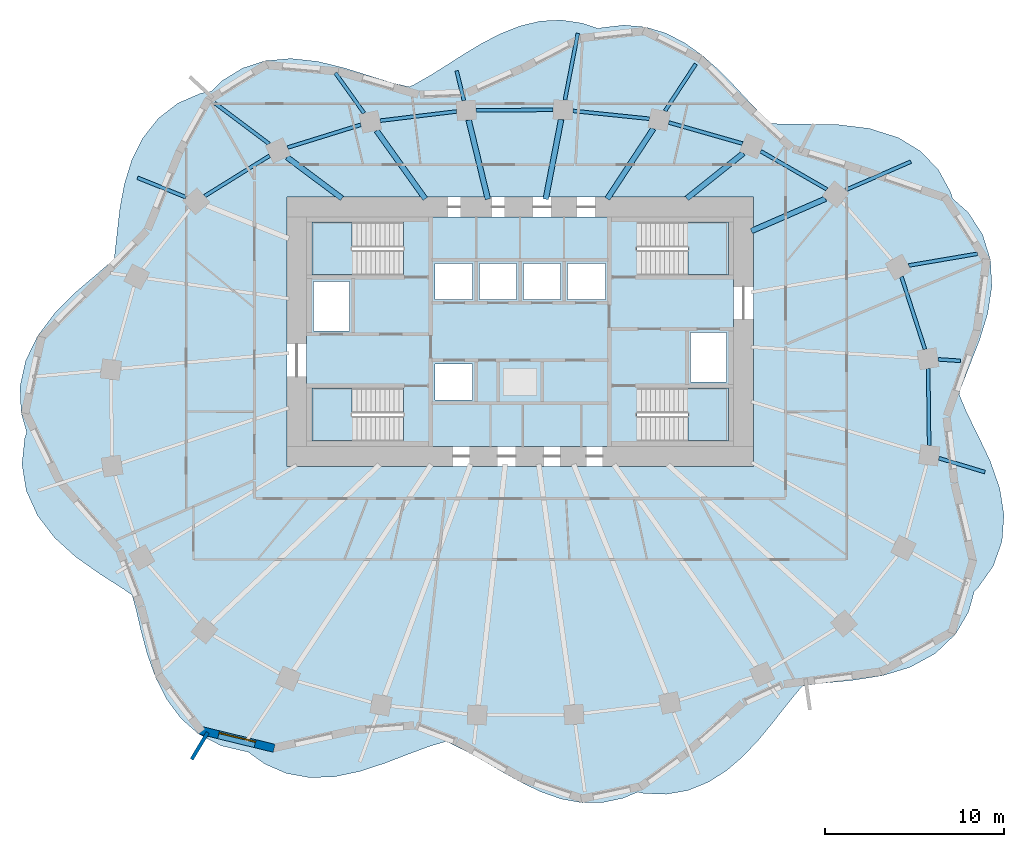
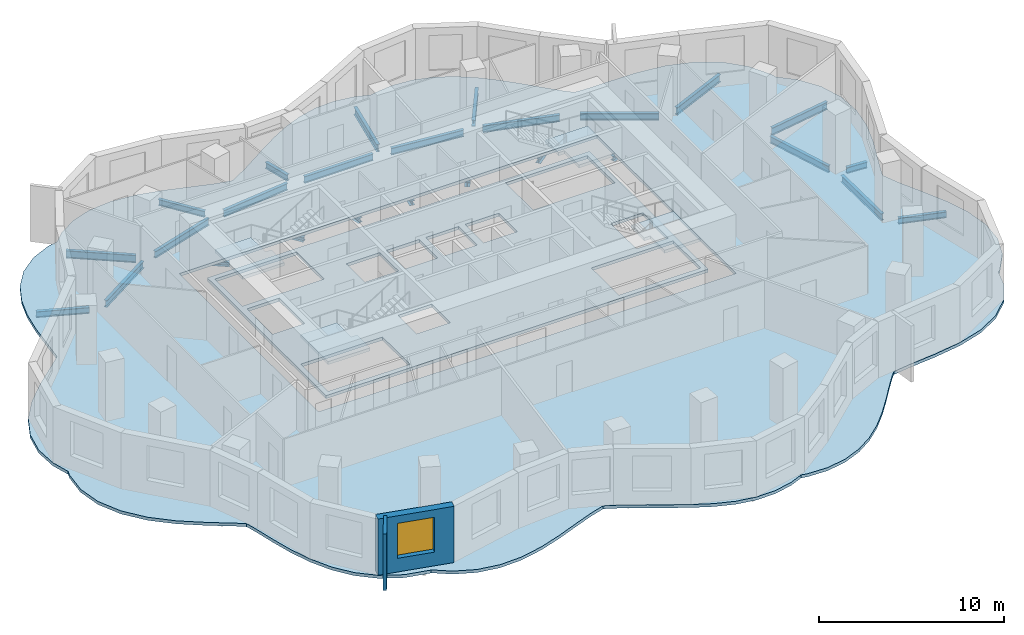
# One storey, part 2 of 10: 26 beams, 6 slabs, 2 walls, 1 window, 1 opening, 4 elements without a shape of their own.
"""IFC4 building model written with IfcOpenShell, lengths in metres."""

from ifc_helpers import new_model, si_unit, direction, frame, frame_2d, origin, origin_2d, place, context, subcontext, project, spatial, polyline, rectangle, i_section, outline, extrude, material, layer, layer_set, material_profile, profile_set, type_object, element, fill, aggregate, save


model = new_model("IFC4")

# Units and contexts
model_context = context("Model", 3, precision=1e-05, world=origin(), true_north=direction((0.0, 1.0)))
body_context = subcontext(model_context, "Body", "Model", "MODEL_VIEW")
ifc_project = project(units=[si_unit("LENGTHUNIT", "METRE"), si_unit("AREAUNIT", "SQUARE_METRE"), si_unit("VOLUMEUNIT", "CUBIC_METRE"), si_unit("PLANEANGLEUNIT", "RADIAN"), si_unit("MASSUNIT", "GRAM", prefix="KILO")], contexts=[model_context])

# Site, building, storey
site_placement = place(None, origin())
site = spatial("IfcSite", under=ifc_project, at=site_placement, CompositionType="ELEMENT")
building_placement = place(site_placement, origin())
building = spatial("IfcBuilding", under=site, at=building_placement, Name="Rubra Terraces Tower", CompositionType="ELEMENT")
storey_placement = place(building_placement, frame((0.0, 0.0, 134.39990234375)))
storey = spatial("IfcBuildingStorey", under=building, at=storey_placement, Name="L32", CompositionType="ELEMENT", Elevation=134.39990234375)

# Beams
ifc_material_1 = material(Name="Steel Q355B", Category="steel")
ifc_material_profile_1 = material_profile(ifc_material_1, i_section(OverallWidth=0.199951171875, OverallDepth=0.39990234375, WebThickness=0.008056640625, FlangeThickness=0.012939453125, at=origin_2d()), Name="HN 400x200x8x13")
ifc_profile_set_1 = profile_set([ifc_material_profile_1], Name="Steel Q355B")
beam_type_1 = type_object("IfcBeamType", Name="CANTILEVER BEAM HN 400x200x8x13", PredefinedType="BEAM", material=ifc_profile_set_1)
beam_1_placement = place(storey_placement, frame((8.076904296875, 16.803955078125, -0.39990234375), z_axis=(0.548937876401, 0.83586315139, 0.0), x_axis=(-0.83586315139, 0.548937876401, 0.0)))
element("IfcBeam", 1, at=beam_1_placement, inside=storey, type_object=beam_type_1, Name="beam-L32-cant-05", PredefinedType="BEAM", context=body_context, shape_type="SweptSolid", body=[
    extrude(i_section(OverallWidth=0.199951171875, OverallDepth=0.39990234375, WebThickness=0.008056640625, FlangeThickness=0.012939453125, at=origin_2d()), origin(), (0.0, 0.0, 1.0), 3.126220703125),
])
beam_2_placement = place(storey_placement, frame((-3.131103515625, 17.37890625, -0.39990234375), z_axis=(-0.23623101805, 0.971696920913, 0.0), x_axis=(-0.971696920913, -0.23623101805, 0.0)))
element("IfcBeam", 2, at=beam_2_placement, inside=storey, type_object=beam_type_1, Name="beam-L32-cant-07", PredefinedType="BEAM", context=body_context, shape_type="SweptSolid", body=[
    extrude(i_section(OverallWidth=0.199951171875, OverallDepth=0.39990234375, WebThickness=0.008056640625, FlangeThickness=0.012939453125, at=origin_2d()), origin(), (0.0, 0.0, 1.0), 1.705322265625),
])
beam_3_placement = place(storey_placement, frame((-8.695068359375, 16.679931640625, -0.39990234375), z_axis=(-0.581002903786, 0.813901484083, 0.0), x_axis=(-0.813901484083, -0.581002903786, 0.0)))
element("IfcBeam", 3, at=beam_3_placement, inside=storey, type_object=beam_type_1, Name="beam-L32-cant-08", PredefinedType="BEAM", context=body_context, shape_type="SweptSolid", body=[
    extrude(i_section(OverallWidth=0.199951171875, OverallDepth=0.39990234375, WebThickness=0.008056640625, FlangeThickness=0.012939453125, at=origin_2d()), origin(), (0.0, 0.0, 1.0), 2.74853515625),
])
beam_4_placement = place(storey_placement, frame((-18.6201171875, 11.991943359375, -0.39990234375), z_axis=(-0.927791895957, 0.373098107468, 0.0), x_axis=(-0.373098107468, -0.927791895957, 0.0)))
element("IfcBeam", 4, at=beam_4_placement, inside=storey, type_object=beam_type_1, Name="beam-L32-cant-10", PredefinedType="BEAM", context=body_context, shape_type="SweptSolid", body=[
    extrude(i_section(OverallWidth=0.199951171875, OverallDepth=0.39990234375, WebThickness=0.008056640625, FlangeThickness=0.012939453125, at=origin_2d()), origin(), (0.0, 0.0, 1.0), 2.907958984375),
])
beam_5_placement = place(storey_placement, frame((23.3359375, -2.550048828125, -0.39990234375), z_axis=(0.957237259316, -0.289304043141, 0.0), x_axis=(0.289304043141, 0.957237259316, 0.0)))
element("IfcBeam", 5, at=beam_5_placement, inside=storey, type_object=beam_type_1, Name="beam-L32-cant-24", PredefinedType="BEAM", context=body_context, shape_type="SweptSolid", body=[
    extrude(i_section(OverallWidth=0.199951171875, OverallDepth=0.39990234375, WebThickness=0.008056640625, FlangeThickness=0.012939453125, at=origin_2d()), origin(), (0.0, 0.0, 1.0), 2.678466796875),
])
ifc_material_profile_2 = material_profile(ifc_material_1, i_section(OverallWidth=0.198974609375, OverallDepth=0.49609375, WebThickness=0.009033203125, FlangeThickness=0.013916015625, at=origin_2d()), Name="HN 496x199x9x14")
ifc_profile_set_2 = profile_set([ifc_material_profile_2], Name="Steel Q355B")
beam_type_2 = type_object("IfcBeamType", Name="CANTILEVER BEAM HN 496x199x9x14", PredefinedType="BEAM", material=ifc_profile_set_2)
beam_6_placement = place(storey_placement, frame((21.656982421875, 8.18798828125, -0.447998046875), z_axis=(0.985806786827, 0.16788382604, 0.0), x_axis=(-0.16788382604, 0.985806786827, 0.0)))
element("IfcBeam", 6, at=beam_6_placement, inside=storey, type_object=beam_type_2, Name="beam-L32-cant-02", PredefinedType="BEAM", context=body_context, shape_type="SweptSolid", body=[
    extrude(i_section(OverallWidth=0.198974609375, OverallDepth=0.49609375, WebThickness=0.009033203125, FlangeThickness=0.013916015625, at=origin_2d()), origin(), (0.0, 0.0, 1.0), 3.88427734375),
])
beam_7_placement = place(storey_placement, frame((18.14990234375, 12.39697265625, -0.447998046875), z_axis=(0.916966850316, 0.398963401105, 0.0), x_axis=(-0.398963401105, 0.916966850316, 0.0)))
element("IfcBeam", 7, at=beam_7_placement, inside=storey, type_object=beam_type_2, Name="beam-L32-cant-03", PredefinedType="BEAM", context=body_context, shape_type="SweptSolid", body=[
    extrude(i_section(OverallWidth=0.198974609375, OverallDepth=0.49609375, WebThickness=0.009033203125, FlangeThickness=0.013916015625, at=origin_2d()), origin(), (0.0, 0.0, 1.0), 3.949951171875),
])
beam_8_placement = place(storey_placement, frame((2.498046875, 17.406982421875, -0.447998046875), z_axis=(0.189863542484, 0.981810488452, 0.0), x_axis=(-0.981810488452, 0.189863542484, 0.0)))
element("IfcBeam", 8, at=beam_8_placement, inside=storey, type_object=beam_type_2, Name="beam-L32-cant-06", PredefinedType="BEAM", context=body_context, shape_type="SweptSolid", body=[
    extrude(i_section(OverallWidth=0.198974609375, OverallDepth=0.49609375, WebThickness=0.009033203125, FlangeThickness=0.013916015625, at=origin_2d()), origin(), (0.0, 0.0, 1.0), 3.786865234375),
])
beam_9_placement = place(storey_placement, frame((-13.989013671875, 14.971923828125, -0.447998046875), z_axis=(-0.800563432958, 0.599248020281, 0.0), x_axis=(-0.599248020281, -0.800563432958, 0.0)))
element("IfcBeam", 9, at=beam_9_placement, inside=storey, type_object=beam_type_2, Name="beam-L32-cant-09", PredefinedType="BEAM", context=body_context, shape_type="SweptSolid", body=[
    extrude(i_section(OverallWidth=0.198974609375, OverallDepth=0.49609375, WebThickness=0.009033203125, FlangeThickness=0.013916015625, at=origin_2d()), origin(), (0.0, 0.0, 1.0), 3.79345703125),
])
ifc_material_profile_3 = material_profile(ifc_material_1, i_section(OverallWidth=0.199951171875, OverallDepth=0.39990234375, WebThickness=0.008056640625, FlangeThickness=0.012939453125, at=origin_2d()), Name="HN 400x200x8x13")
ifc_profile_set_3 = profile_set([ifc_material_profile_3], Name="Steel Q355B")
beam_type_3 = type_object("IfcBeamType", Name="CANTILEVER STUB HN 400x200x8x13", PredefinedType="BEAM", material=ifc_profile_set_3)
beam_10_placement = place(storey_placement, frame((23.298095703125, 2.9560546875, -0.39990234375), z_axis=(0.99781120572, -0.06612713316, 0.0), x_axis=(0.06612713316, 0.99781120572, 0.0)))
element("IfcBeam", 10, at=beam_10_placement, inside=storey, type_object=beam_type_3, Name="beam-L32-cant-01", PredefinedType="BEAM", context=body_context, shape_type="SweptSolid", body=[
    extrude(i_section(OverallWidth=0.199951171875, OverallDepth=0.39990234375, WebThickness=0.008056640625, FlangeThickness=0.012939453125, at=origin_2d()), origin(), (0.0, 0.0, 1.0), 1.240478515625),
])
ifc_material_profile_4 = material_profile(ifc_material_1, i_section(OverallWidth=0.304931640625, OverallDepth=0.300048828125, WebThickness=0.014892578125, FlangeThickness=0.014892578125, at=origin_2d()), Name="HW 300x305x15x15")
ifc_profile_set_4 = profile_set([ifc_material_profile_4], Name="Steel Q355B")
beam_type_4 = type_object("IfcBeamType", Name="FLOOR BEAM HW 300x305x15x15", PredefinedType="BEAM", material=ifc_profile_set_4)
beam_11_placement = place(storey_placement, frame((17.01806640625, 11.905029296875, -0.349853515625), z_axis=(-0.916965704309, -0.398966035047, 0.0), x_axis=(0.398966035047, -0.916965704309, 0.0)))
element("IfcBeam", 11, at=beam_11_placement, inside=storey, type_object=beam_type_4, Name="beam-L32-floor-03", PredefinedType="BEAM", context=body_context, shape_type="SweptSolid", body=[
    extrude(i_section(OverallWidth=0.304931640625, OverallDepth=0.300048828125, WebThickness=0.014892578125, FlangeThickness=0.014892578125, at=origin_2d()), origin(), (0.0, 0.0, 1.0), 4.501953125),
])
beam_12_placement = place(storey_placement, frame((12.43798828125, 14.44091796875, -0.349853515625), z_axis=(-0.781170160898, -0.624318171867, 0.0), x_axis=(0.624318171867, -0.781170160898, 0.0)))
element("IfcBeam", 12, at=beam_12_placement, inside=storey, type_object=beam_type_4, Name="beam-L32-floor-04", PredefinedType="BEAM", context=body_context, shape_type="SweptSolid", body=[
    extrude(i_section(OverallWidth=0.304931640625, OverallDepth=0.300048828125, WebThickness=0.014892578125, FlangeThickness=0.014892578125, at=origin_2d()), origin(), (0.0, 0.0, 1.0), 4.02978515625),
])
beam_13_placement = place(storey_placement, frame((7.425048828125, 15.81005859375, -0.349853515625), z_axis=(-0.548820601732, -0.835940157616, 0.0), x_axis=(0.835940157616, -0.548820601732, 0.0)))
element("IfcBeam", 13, at=beam_13_placement, inside=storey, type_object=beam_type_4, Name="beam-L32-floor-05", PredefinedType="BEAM", context=body_context, shape_type="SweptSolid", body=[
    extrude(i_section(OverallWidth=0.304931640625, OverallDepth=0.300048828125, WebThickness=0.014892578125, FlangeThickness=0.014892578125, at=origin_2d()), origin(), (0.0, 0.0, 1.0), 4.677490234375),
])
beam_14_placement = place(storey_placement, frame((2.285888671875, 16.31689453125, -0.349853515625), z_axis=(-0.189927794489, -0.981798061151, 0.0), x_axis=(0.981798061151, -0.189927794489, 0.0)))
element("IfcBeam", 14, at=beam_14_placement, inside=storey, type_object=beam_type_4, Name="beam-L32-floor-06", PredefinedType="BEAM", context=body_context, shape_type="SweptSolid", body=[
    extrude(i_section(OverallWidth=0.304931640625, OverallDepth=0.300048828125, WebThickness=0.014892578125, FlangeThickness=0.014892578125, at=origin_2d()), origin(), (0.0, 0.0, 1.0), 4.51708984375),
])
beam_15_placement = place(storey_placement, frame((-2.866943359375, 16.29296875, -0.349853515625), z_axis=(0.236214306521, -0.971700983531, 0.0), x_axis=(0.971700983531, 0.236214306521, 0.0)))
element("IfcBeam", 15, at=beam_15_placement, inside=storey, type_object=beam_type_4, Name="beam-L32-floor-07", PredefinedType="BEAM", context=body_context, shape_type="SweptSolid", body=[
    extrude(i_section(OverallWidth=0.304931640625, OverallDepth=0.300048828125, WebThickness=0.014892578125, FlangeThickness=0.014892578125, at=origin_2d()), origin(), (0.0, 0.0, 1.0), 4.538330078125),
])
beam_16_placement = place(storey_placement, frame((-7.9990234375, 15.7041015625, -0.349853515625), z_axis=(0.581010755177, -0.813895879317, 0.0), x_axis=(0.813895879317, 0.581010755177, 0.0)))
element("IfcBeam", 16, at=beam_16_placement, inside=storey, type_object=beam_type_4, Name="beam-L32-floor-08", PredefinedType="BEAM", context=body_context, shape_type="SweptSolid", body=[
    extrude(i_section(OverallWidth=0.304931640625, OverallDepth=0.300048828125, WebThickness=0.014892578125, FlangeThickness=0.014892578125, at=origin_2d()), origin(), (0.0, 0.0, 1.0), 4.67138671875),
])
beam_17_placement = place(storey_placement, frame((-12.985107421875, 14.219970703125, -0.349853515625), z_axis=(0.800566460925, -0.599243975057, 0.0), x_axis=(0.599243975057, 0.800566460925, 0.0)))
element("IfcBeam", 17, at=beam_17_placement, inside=storey, type_object=beam_type_4, Name="beam-L32-floor-09", PredefinedType="BEAM", context=body_context, shape_type="SweptSolid", body=[
    extrude(i_section(OverallWidth=0.304931640625, OverallDepth=0.300048828125, WebThickness=0.014892578125, FlangeThickness=0.014892578125, at=origin_2d()), origin(), (0.0, 0.0, 1.0), 3.82470703125),
])
ifc_material_profile_5 = material_profile(ifc_material_1, i_section(OverallWidth=0.198974609375, OverallDepth=0.446044921875, WebThickness=0.008056640625, FlangeThickness=0.011962890625, at=origin_2d()), Name="HN 446x199x8x12")
ifc_profile_set_5 = profile_set([ifc_material_profile_5], Name="Steel Q355B")
beam_type_5 = type_object("IfcBeamType", Name="SPANDREL BEAM HN 446x199x8x12", PredefinedType="SPANDREL", material=ifc_profile_set_5)
beam_18_placement = place(storey_placement, frame((22.56201171875, 3.52197265625, -0.4228515625), z_axis=(-0.308462461648, 0.951236516201, 0.0), x_axis=(-0.951236516201, -0.308462461648, 0.0)))
element("IfcBeam", 18, at=beam_18_placement, inside=storey, type_object=beam_type_5, Name="beam-L32-spandrel-01", PredefinedType="SPANDREL", context=body_context, shape_type="SweptSolid", body=[
    extrude(i_section(OverallWidth=0.198974609375, OverallDepth=0.446044921875, WebThickness=0.008056640625, FlangeThickness=0.011962890625, at=origin_2d()), origin(), (0.0, 0.0, 1.0), 4.24072265625),
])
beam_19_placement = place(storey_placement, frame((17.10009765625, 12.428955078125, -0.4228515625), z_axis=(-0.866560147027, 0.49907265161, 0.0), x_axis=(-0.49907265161, -0.866560147027, 0.0)))
element("IfcBeam", 19, at=beam_19_placement, inside=storey, type_object=beam_type_5, Name="beam-L32-spandrel-03", PredefinedType="SPANDREL", context=body_context, shape_type="SweptSolid", body=[
    extrude(i_section(OverallWidth=0.198974609375, OverallDepth=0.446044921875, WebThickness=0.008056640625, FlangeThickness=0.011962890625, at=origin_2d()), origin(), (0.0, 0.0, 1.0), 4.26171875),
])
beam_20_placement = place(storey_placement, frame((12.39404296875, 14.98388671875, -0.4228515625), z_axis=(-0.961693978406, 0.274125321518, 0.0), x_axis=(-0.274125321518, -0.961693978406, 0.0)))
element("IfcBeam", 20, at=beam_20_placement, inside=storey, type_object=beam_type_5, Name="beam-L32-spandrel-04", PredefinedType="SPANDREL", context=body_context, shape_type="SweptSolid", body=[
    extrude(i_section(OverallWidth=0.198974609375, OverallDepth=0.446044921875, WebThickness=0.008056640625, FlangeThickness=0.011962890625, at=origin_2d()), origin(), (0.0, 0.0, 1.0), 4.27587890625),
])
beam_21_placement = place(storey_placement, frame((7.201904296875, 16.364013671875, -0.4228515625), z_axis=(-0.994691190497, 0.102904983103, 0.0), x_axis=(-0.102904983103, -0.994691190497, 0.0)))
element("IfcBeam", 21, at=beam_21_placement, inside=storey, type_object=beam_type_5, Name="beam-L32-spandrel-05", PredefinedType="SPANDREL", context=body_context, shape_type="SweptSolid", body=[
    extrude(i_section(OverallWidth=0.198974609375, OverallDepth=0.446044921875, WebThickness=0.008056640625, FlangeThickness=0.011962890625, at=origin_2d()), origin(), (0.0, 0.0, 1.0), 4.28466796875),
])
beam_22_placement = place(storey_placement, frame((1.841064453125, 16.85888671875, -0.4228515625), z_axis=(-0.999989371096, -0.004610606731, 0.0), x_axis=(0.004610606731, -0.999989371096, 0.0)))
element("IfcBeam", 22, at=beam_22_placement, inside=storey, type_object=beam_type_5, Name="beam-L32-spandrel-06", PredefinedType="SPANDREL", context=body_context, shape_type="SweptSolid", body=[
    extrude(i_section(OverallWidth=0.198974609375, OverallDepth=0.446044921875, WebThickness=0.008056640625, FlangeThickness=0.011962890625, at=origin_2d()), origin(), (0.0, 0.0, 1.0), 4.2890625),
])
beam_23_placement = place(storey_placement, frame((-3.5458984375, 16.77001953125, -0.4228515625), z_axis=(-0.992833084949, -0.119509269223, 0.0), x_axis=(0.119509269223, -0.992833084949, 0.0)))
element("IfcBeam", 23, at=beam_23_placement, inside=storey, type_object=beam_type_5, Name="beam-L32-spandrel-07", PredefinedType="SPANDREL", context=body_context, shape_type="SweptSolid", body=[
    extrude(i_section(OverallWidth=0.198974609375, OverallDepth=0.446044921875, WebThickness=0.008056640625, FlangeThickness=0.011962890625, at=origin_2d()), origin(), (0.0, 0.0, 1.0), 4.283935546875),
])
beam_24_placement = place(storey_placement, frame((-8.8740234375, 16.028076171875, -0.4228515625), z_axis=(-0.955002801089, -0.296596780008, 0.0), x_axis=(0.296596780008, -0.955002801089, 0.0)))
element("IfcBeam", 24, at=beam_24_placement, inside=storey, type_object=beam_type_5, Name="beam-L32-spandrel-08", PredefinedType="SPANDREL", context=body_context, shape_type="SweptSolid", body=[
    extrude(i_section(OverallWidth=0.198974609375, OverallDepth=0.446044921875, WebThickness=0.008056640625, FlangeThickness=0.011962890625, at=origin_2d()), origin(), (0.0, 0.0, 1.0), 4.275390625),
])
beam_25_placement = place(storey_placement, frame((-13.9580078125, 14.303955078125, -0.4228515625), z_axis=(-0.849549830498, -0.527508374816, 0.0), x_axis=(0.527508374816, -0.849549830498, 0.0)))
element("IfcBeam", 25, at=beam_25_placement, inside=storey, type_object=beam_type_5, Name="beam-L32-spandrel-09", PredefinedType="SPANDREL", context=body_context, shape_type="SweptSolid", body=[
    extrude(i_section(OverallWidth=0.198974609375, OverallDepth=0.446044921875, WebThickness=0.008056640625, FlangeThickness=0.011962890625, at=origin_2d()), origin(), (0.0, 0.0, 1.0), 4.259765625),
])
beam_26_placement = place(storey_placement, frame((22.794921875, -1.8330078125, -0.4228515625), z_axis=(-0.012634783266, 0.99992017794, 0.0), x_axis=(-0.99992017794, -0.012634783266, 0.0)))
element("IfcBeam", 26, at=beam_26_placement, inside=storey, type_object=beam_type_5, Name="beam-L32-spandrel-24", PredefinedType="SPANDREL", context=body_context, shape_type="SweptSolid", body=[
    extrude(i_section(OverallWidth=0.198974609375, OverallDepth=0.446044921875, WebThickness=0.008056640625, FlangeThickness=0.011962890625, at=origin_2d()), origin(), (0.0, 0.0, 1.0), 4.270263671875),
])

# Slab
ifc_material_2 = material(Name="Concrete C40", Category="concrete")
ifc_layer_1 = layer(ifc_material_2, 0.199951171875)
ifc_layer_set_1 = layer_set([ifc_layer_1], Name="Concrete C40")
slab_type_1 = type_object("IfcSlabType", Name="Core floor slab 200 concrete", PredefinedType="FLOOR", material=ifc_layer_set_1)
slab_1_placement = place(storey_placement, frame((0.0, 0.0, -0.199951171875)))
element("IfcSlab", 27, at=slab_1_placement, inside=storey, type_object=slab_type_1, Name="CORE FLOOR SLAB L32", PredefinedType="FLOOR", context=body_context, shape_type="SweptSolid", body=[
    extrude(outline(polyline([(-11.89990234375, -1.89990234375), (-11.89990234375, 10.89990234375), (11.89990234375, 10.89990234375), (11.89990234375, -1.89990234375), (-11.89990234375, -1.89990234375)]), holes=[polyline([(11.597900390625, -1.597900390625), (11.597900390625, 1.347900390625), (6.501953125, 1.347900390625), (6.501953125, -1.597900390625), (11.597900390625, -1.597900390625)]), polyline([(11.597900390625, 7.652099609375), (11.597900390625, 10.597900390625), (6.501953125, 10.597900390625), (6.501953125, 7.652099609375), (11.597900390625, 7.652099609375)]), polyline([(9.5, 1.699951171875), (11.5, 1.699951171875), (11.5, 4.449951171875), (9.5, 4.449951171875), (9.5, 1.699951171875)]), polyline([(4.75, 6.300048828125), (4.75, 8.300048828125), (2.64990234375, 8.300048828125), (2.64990234375, 6.300048828125), (4.75, 6.300048828125)]), polyline([(2.25, 8.300048828125), (0.199951171875, 8.300048828125), (0.199951171875, 6.300048828125), (2.25, 6.300048828125), (2.25, 8.300048828125)]), polyline([(-0.199951171875, 6.300048828125), (-0.199951171875, 8.300048828125), (-2.25, 8.300048828125), (-2.25, 6.300048828125), (-0.199951171875, 6.300048828125)]), polyline([(-2.64990234375, 2.699951171875), (-4.75, 2.699951171875), (-4.75, 0.699951171875), (-2.64990234375, 0.699951171875), (-2.64990234375, 2.699951171875)]), polyline([(-2.64990234375, 8.300048828125), (-4.75, 8.300048828125), (-4.75, 6.300048828125), (-2.64990234375, 6.300048828125), (-2.64990234375, 8.300048828125)]), polyline([(-11.597900390625, -1.597900390625), (-6.501953125, -1.597900390625), (-6.501953125, 1.347900390625), (-11.597900390625, 1.347900390625), (-11.597900390625, -1.597900390625)]), polyline([(-11.597900390625, 7.652099609375), (-6.501953125, 7.652099609375), (-6.501953125, 10.597900390625), (-11.597900390625, 10.597900390625), (-11.597900390625, 7.652099609375)]), polyline([(-9.5, 7.300048828125), (-11.5, 7.300048828125), (-11.5, 4.550048828125), (-9.5, 4.550048828125), (-9.5, 7.300048828125)])]), origin(), (0.0, 0.0, 1.0), 0.199951171875),
])

# Stair, slab
stair_type = type_object("IfcStairType", Name="Core stair 1400", PredefinedType="HALF_TURN_STAIR", material=ifc_material_2)
stair_1_placement = place(storey_placement, origin())
stair_1 = element("IfcStair", 28, at=stair_1_placement, inside=storey, type_object=stair_type, Name="L32 Exit stair S1", PredefinedType="HALF_TURN_STAIR")
ifc_layer_2 = layer(ifc_material_2, 0.199951171875)
ifc_layer_set_2 = layer_set([ifc_layer_2], Name="Concrete C40")
slab_type_2 = type_object("IfcSlabType", Name="Core stair landing 200", PredefinedType="LANDING", material=ifc_layer_set_2)
slab_2_placement = place(storey_placement, frame((0.0, 0.0, 1.75)))
slab_2 = element("IfcSlab", 29, at=slab_2_placement, type_object=slab_type_2, Name="S1 landing 1", PredefinedType="LANDING", context=body_context, shape_type="SweptSolid", body=[
    extrude(outline(polyline([(-8.97998046875, -0.199951171875), (-8.97998046875, -1.60009765625), (-9.360107421875, -1.60009765625), (-9.3798828125, -1.60009765625), (-11.60009765625, -1.60009765625), (-11.60009765625, 1.35009765625), (-9.3798828125, 1.35009765625), (-9.35791015625, 1.35009765625), (-9.35791015625, -0.050048828125), (-9.360107421875, -0.050048828125), (-9.360107421875, -0.199951171875), (-8.97998046875, -0.199951171875)])), origin(), (0.0, 0.0, 1.0), 0.2001953125),
])
aggregate(stair_1, [slab_2])

stair_2_placement = place(storey_placement, origin())
stair_2 = element("IfcStair", 30, at=stair_2_placement, inside=storey, type_object=stair_type, Name="L32 Exit stair S2", PredefinedType="HALF_TURN_STAIR")
slab_3_placement = place(storey_placement, frame((0.0, 0.0, 1.75)))
slab_3 = element("IfcSlab", 31, at=slab_3_placement, type_object=slab_type_2, Name="S2 landing 1", PredefinedType="LANDING", context=body_context, shape_type="SweptSolid", body=[
    extrude(outline(polyline([(-8.97998046875, 9.050048828125), (-8.97998046875, 7.64990234375), (-9.3798828125, 7.64990234375), (-11.60009765625, 7.64990234375), (-11.60009765625, 10.60009765625), (-9.3798828125, 10.60009765625), (-9.360107421875, 10.60009765625), (-9.35791015625, 10.60009765625), (-9.35791015625, 9.199951171875), (-9.360107421875, 9.199951171875), (-9.360107421875, 9.050048828125), (-8.97998046875, 9.050048828125)])), origin(), (0.0, 0.0, 1.0), 0.2001953125),
])
aggregate(stair_2, [slab_3])

stair_3_placement = place(storey_placement, origin())
stair_3 = element("IfcStair", 32, at=stair_3_placement, inside=storey, type_object=stair_type, Name="L32 Exit stair S3", PredefinedType="HALF_TURN_STAIR")
slab_4_placement = place(storey_placement, frame((0.0, 0.0, 1.75)))
slab_4 = element("IfcSlab", 33, at=slab_4_placement, type_object=slab_type_2, Name="S3 landing 1", PredefinedType="LANDING", context=body_context, shape_type="SweptSolid", body=[
    extrude(outline(polyline([(9.360107421875, 9.050048828125), (9.360107421875, 9.199951171875), (8.97998046875, 9.199951171875), (8.97998046875, 10.60009765625), (9.360107421875, 10.60009765625), (9.3798828125, 10.60009765625), (11.60009765625, 10.60009765625), (11.60009765625, 7.64990234375), (9.3798828125, 7.64990234375), (9.35791015625, 7.64990234375), (9.35791015625, 9.050048828125), (9.360107421875, 9.050048828125)])), origin(), (0.0, 0.0, 1.0), 0.2001953125),
])
aggregate(stair_3, [slab_4])

stair_4_placement = place(storey_placement, origin())
stair_4 = element("IfcStair", 34, at=stair_4_placement, inside=storey, type_object=stair_type, Name="L32 Exit stair S4", PredefinedType="HALF_TURN_STAIR")
slab_5_placement = place(storey_placement, frame((0.0, 0.0, 1.75)))
slab_5 = element("IfcSlab", 35, at=slab_5_placement, type_object=slab_type_2, Name="S4 landing 1", PredefinedType="LANDING", context=body_context, shape_type="SweptSolid", body=[
    extrude(outline(polyline([(9.360107421875, -0.199951171875), (9.360107421875, -0.050048828125), (8.97998046875, -0.050048828125), (8.97998046875, 1.35009765625), (9.360107421875, 1.35009765625), (9.3798828125, 1.35009765625), (11.60009765625, 1.35009765625), (11.60009765625, -1.60009765625), (9.3798828125, -1.60009765625), (9.360107421875, -1.60009765625), (9.35791015625, -1.60009765625), (9.35791015625, -0.199951171875), (9.360107421875, -0.199951171875)])), origin(), (0.0, 0.0, 1.0), 0.2001953125),
])
aggregate(stair_4, [slab_5])

# Slab
ifc_layer_3 = layer(ifc_material_2, 0.199951171875)
ifc_layer_set_3 = layer_set([ifc_layer_3], Name="Concrete C40")
slab_type_3 = type_object("IfcSlabType", Name="FLOOR SLAB 200 COMPOSITE", PredefinedType="FLOOR", material=ifc_layer_set_3)
slab_6_placement = place(storey_placement, frame((0.0, 0.0, -0.199951171875)))
element("IfcSlab", 36, at=slab_6_placement, inside=storey, type_object=slab_type_3, Name="FLOOR SLAB L32", PredefinedType="FLOOR", context=body_context, shape_type="SweptSolid", body=[
    extrude(outline(polyline([(-5.048095703125, -18.60888671875), (-4.14111328125, -18.340087890625), (-3.931884765625, -18.422119140625), (-2.991943359375, -18.889892578125), (-2.012939453125, -19.44091796875), (-1.013916015625, -20.02294921875), (0.0, -20.5869140625), (1.131103515625, -21.134033203125), (2.281005859375, -21.5400390625), (3.445068359375, -21.751953125), (4.596923828125, -21.739990234375), (5.73291015625, -21.5), (6.56201171875, -21.157958984375), (6.89892578125, -21.23291015625), (8.137939453125, -21.279052734375), (9.344970703125, -21.069091796875), (10.498046875, -20.60302734375), (11.498046875, -19.965087890625), (12.424072265625, -19.1708984375), (13.27392578125, -18.27001953125), (14.05908203125, -17.320068359375), (14.794921875, -16.381103515625), (15.506103515625, -15.506103515625), (15.75390625, -15.242919921875), (16.818115234375, -15.093994140625), (18.468994140625, -14.93701171875), (20.19189453125, -14.669921875), (21.739013671875, -14.201904296875), (23.134033203125, -13.43896484375), (24.260986328125, -12.362060546875), (24.98291015625, -11.135986328125), (25.31591796875, -9.965087890625), (25.468017578125, -9.8359375), (26.367919921875, -8.56689453125), (26.85693359375, -7.18896484375), (26.966064453125, -5.718017578125), (26.72998046875, -4.23388671875), (26.214111328125, -2.748046875), (25.550048828125, -1.343017578125), (24.883056640625, 0.0), (24.466064453125, 1.011962890625), (24.544921875, 1.305908203125), (25.05908203125, 2.64111328125), (25.614990234375, 4.056884765625), (26.06005859375, 5.510009765625), (26.291015625, 7.01806640625), (26.2109375, 8.51611328125), (25.76708984375, 9.925048828125), (24.9599609375, 11.156005859375), (24.094970703125, 11.927001953125), (24.011962890625, 12.235107421875), (23.31494140625, 13.51611328125), (22.318115234375, 14.55810546875), (21.076904296875, 15.31298828125), (19.4560546875, 15.825927734375), (17.7470703125, 16.032958984375), (16.06103515625, 16.06103515625), (14.5869140625, 16.06494140625), (13.9580078125, 16.114013671875), (14.306884765625, 15.7880859375), (13.486083984375, 16.553955078125), (12.658935546875, 17.424072265625), (11.868896484375, 18.27294921875), (11.032958984375, 19.117919921875), (10.14208984375, 19.905029296875), (9.14306640625, 20.613037109375), (8.0849609375, 21.14990234375), (6.97900390625, 21.47900390625), (5.77294921875, 21.5830078125), (4.552978515625, 21.43994140625), (4.367919921875, 21.385009765625), (3.43701171875, 21.697998046875), (2.2880859375, 21.867919921875), (1.136962890625, 21.80908203125), (0.0, 21.537109375), (-1.06689453125, 21.115966796875), (-2.1240234375, 20.571044921875), (-3.159912109375, 19.948974609375), (-4.10400390625, 19.344970703125), (-5.02587890625, 18.76611328125), (-5.930908203125, 18.2529296875), (-6.173095703125, 18.14208984375), (-7.123046875, 18.365966796875), (-8.426025390625, 18.77001953125), (-9.780029296875, 19.194091796875), (-11.27392578125, 19.56005859375), (-12.77490234375, 19.721923828125), (-14.23388671875, 19.592041015625), (-15.471923828125, 19.18310546875), (-16.589111328125, 18.493896484375), (-17.555908203125, 17.555908203125), (-17.217041015625, 17.885009765625), (-17.787109375, 17.787109375), (-19.06201171875, 17.238037109375), (-20.157958984375, 16.39111328125), (-21.032958984375, 15.281982421875), (-21.64404296875, 14.050048828125), (-22.053955078125, 12.718994140625), (-22.302978515625, 11.364013671875), (-22.466064453125, 9.93701171875), (-22.610107421875, 8.616943359375), (-22.625, 8.532958984375), (-23.623046875, 7.676025390625), (-24.782958984375, 6.68310546875), (-25.9169921875, 5.549072265625), (-26.887939453125, 4.259033203125), (-27.554931640625, 2.8779296875), (-27.867919921875, 1.43408203125), (-27.806884765625, 0.0), (-27.49609375, -1.10595703125), (-27.60400390625, -1.422119140625), (-27.758056640625, -2.89501953125), (-27.52001953125, -4.35888671875), (-26.89306640625, -5.7451171875), (-25.94091796875, -6.986083984375), (-24.77099609375, -8.048095703125), (-23.404052734375, -9.012939453125), (-22.091064453125, -9.84912109375), (-21.6201171875, -10.18310546875), (-21.419921875, -10.9140625), (-21.1298828125, -12.15087890625), (-20.782958984375, -13.4541015625), (-20.31689453125, -14.761962890625), (-19.697021484375, -15.98193359375), (-18.89697265625, -17.056884765625), (-17.919921875, -17.919921875), (-16.65087890625, -18.5810546875), (-15.242919921875, -18.908935546875), (-15.176025390625, -18.909912109375), (-14.23388671875, -19.591064453125), (-13.013916015625, -20.12109375), (-11.705078125, -20.35302734375), (-10.344970703125, -20.302978515625), (-8.930908203125, -20.007080078125), (-7.535888671875, -19.549072265625), (-6.18310546875, -19.029052734375), (-5.048095703125, -18.60888671875)]), holes=[polyline([(13.0, 12.0), (13.0, -3.0), (-13.0, -3.0), (-13.0, 12.0), (13.0, 12.0)])]), origin(), (0.0, 0.0, 1.0), 0.199951171875),
])

# Wall, opening, window
ifc_material_3 = material(Name="Brick masonry red-brown", Category="masonry")
ifc_layer_4 = layer(ifc_material_3, 0.449951171875)
ifc_layer_set_4 = layer_set([ifc_layer_4], Name="Brick masonry red-brown")
wall_type_1 = type_object("IfcWallType", Name="Brick facade wall 450", PredefinedType="SOLIDWALL", material=ifc_layer_set_4)
wall_1_placement = place(storey_placement, frame((-17.86669921875, -17.701416015625, 0.0), z_axis=(0.0, 0.0, 1.0), x_axis=(0.971546885012, -0.236847314156, 0.0)))
wall_1 = element("IfcWall", 37, at=wall_1_placement, inside=storey, type_object=wall_type_1, Name="Facade wall L32 bay 26", PredefinedType="SOLIDWALL", context=body_context, shape_type="SweptSolid", body=[
    extrude(rectangle(XDim=4.284912109375, YDim=0.449951171875, at=frame_2d((2.142578125, 0.0))), origin(), (0.0, 0.0, 1.0), 3.7001953125),
])
opening_placement = place(wall_1_placement, frame((1.092529296875, 0.0, 0.89990234375)))
opening = element("IfcOpeningElement", 38, at=opening_placement, cuts=wall_1, Name="Opening W1B", PredefinedType="OPENING", context=body_context, shape_type="SweptSolid", body=[
    extrude(rectangle(XDim=2.10009765625, YDim=2.300048828125, at=frame_2d((1.050048828125, 1.14990234375))), frame((0.0, 0.23486328125, 0.0), z_axis=(0.0, -1.0, 0.0), x_axis=(1.0, 0.0, 0.0)), (0.0, 0.0, 1.0), 0.469970703125),
])
ifc_material_4 = material(Name="Clear glass in aluminium frame", Category="aluminium")
window_type = type_object("IfcWindowType", Name="Fixed deep-set window tall storey 2100 x 2300", PartitioningType="SINGLE_PANEL", PredefinedType="WINDOW", material=ifc_material_4)
window_placement = place(opening_placement, origin())
window = element("IfcWindow", 39, at=window_placement, inside=storey, type_object=window_type, Name="Window L32 bay 26", OverallHeight=2.300048828125, OverallWidth=2.10009765625, PartitioningType="SINGLE_PANEL", PredefinedType="WINDOW", context=body_context, shape_type="SweptSolid", body=[
    extrude(rectangle(XDim=2.10009765625, YDim=2.300048828125, at=frame_2d((1.050048828125, 1.14990234375))), frame((0.0, 0.135009765625, 0.0), z_axis=(0.0, -1.0, 0.0), x_axis=(1.0, 0.0, 0.0)), (0.0, 0.0, 1.0), 0.06005859375),
])
fill(opening, window)

# Wall
ifc_layer_5 = layer(ifc_material_3, 0.199951171875)
ifc_layer_set_5 = layer_set([ifc_layer_5], Name="Brick masonry red-brown")
wall_type_2 = type_object("IfcWallType", Name="Brick wind fin 200", PredefinedType="SOLIDWALL", material=ifc_layer_set_5)
wall_2_placement = place(storey_placement, frame((-17.406005859375, -17.8349609375, 0.0), z_axis=(0.0, 0.0, 1.0), x_axis=(-0.512648290506, -0.858598701514, 0.0)))
element("IfcWall", 40, at=wall_2_placement, inside=storey, type_object=wall_type_2, Name="Wind fin L32 13", PredefinedType="SOLIDWALL", context=body_context, shape_type="SweptSolid", body=[
    extrude(rectangle(XDim=1.750244140625, YDim=0.199951171875, at=frame_2d((0.875, 0.0))), origin(), (0.0, 0.0, 1.0), 3.7001953125),
])

save(model, "model.ifc")
